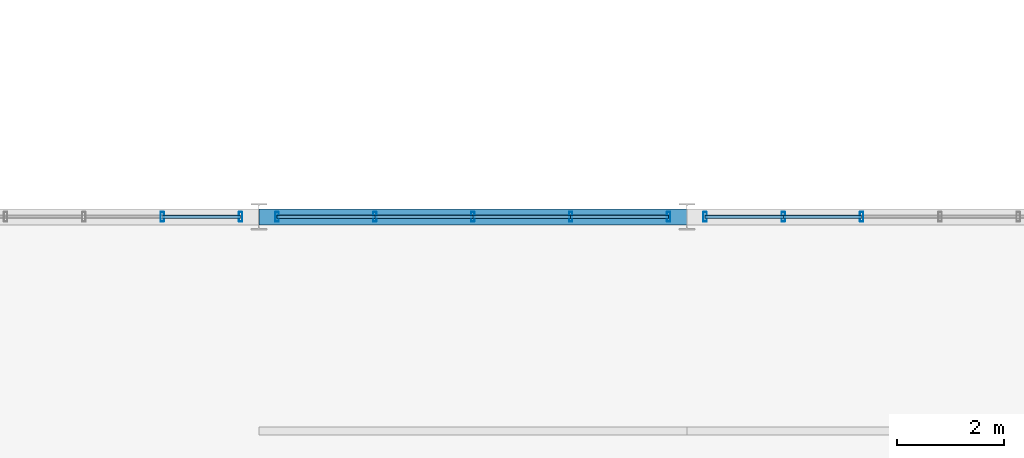
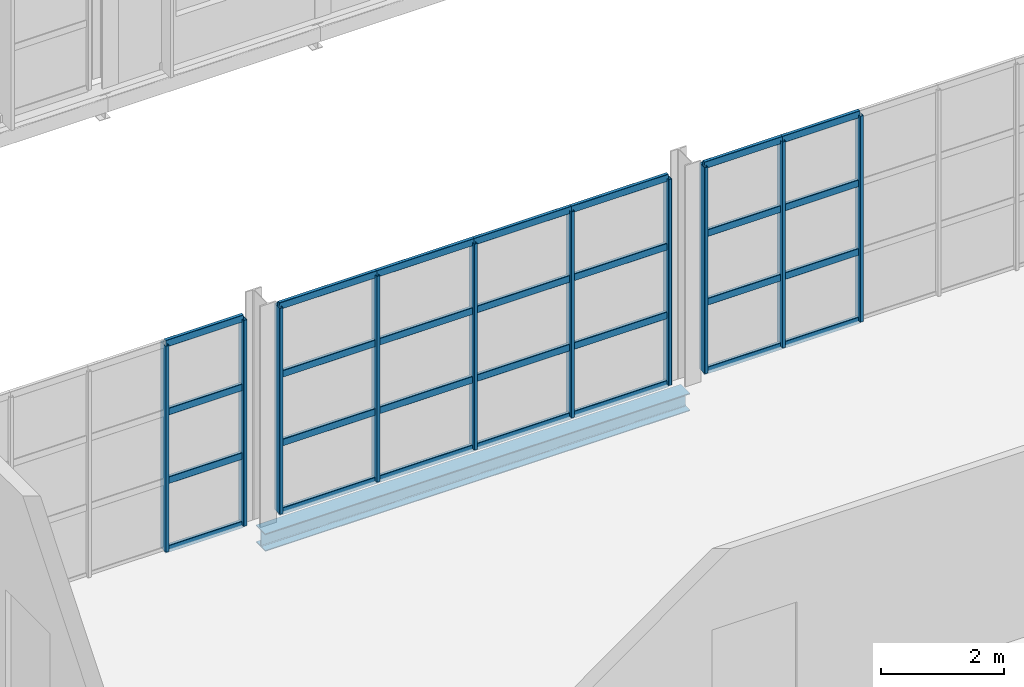
# One storey, part 80 of 153: 38 members, 1 beam, 3 elements without a shape of their own.
"""IFC4 building model written with IfcOpenShell, lengths in metres."""

from ifc_helpers import new_model, si_unit, derived_unit, direction, frame, origin, origin_2d, place, context, subcontext, project, spatial, hollow_rectangle, i_section, extrude, material, material_profile, profile_set, type_object, element, aggregate, save


model = new_model("IFC4")

# Units and contexts
model_context = context("Model", 3, precision=1e-05, world=origin(), true_north=direction((0.0, 1.0)))
body_context = subcontext(model_context, "Body", "Model", "MODEL_VIEW")
ifc_project = project(units=[si_unit("LENGTHUNIT", "METRE"), si_unit("AREAUNIT", "SQUARE_METRE"), si_unit("VOLUMEUNIT", "CUBIC_METRE"), si_unit("PLANEANGLEUNIT", "RADIAN"), si_unit("MASSUNIT", "GRAM", prefix="KILO"), derived_unit("THERMALTRANSMITTANCEUNIT", [(si_unit("POWERUNIT", "WATT"), 1), (si_unit("LENGTHUNIT", "METRE"), -2), (si_unit("THERMODYNAMICTEMPERATUREUNIT", "KELVIN"), -1)])], contexts=[model_context])

# Site, building, storey
site_placement = place(None, origin())
site = spatial("IfcSite", under=ifc_project, at=site_placement, CompositionType="ELEMENT")
building_placement = place(site_placement, origin())
building = spatial("IfcBuilding", under=site, at=building_placement, Name="Keldorne Ridge Multi-Sports Centre", CompositionType="ELEMENT")
storey_placement = place(building_placement, frame((0.0, 0.0, 9.60009765625)))
storey = spatial("IfcBuildingStorey", under=building, at=storey_placement, Name="L02", CompositionType="ELEMENT", Elevation=9.60009765625)

# Beam
ifc_material_1 = material(Name="Steel S355", Category="steel")
ifc_material_profile_1 = material_profile(ifc_material_1, i_section(OverallWidth=0.300048828125, OverallDepth=0.35009765625, WebThickness=0.010009765625, FlangeThickness=0.017578125, FilletRadius=0.027099609375, at=origin_2d()), Name="HEA 360")
ifc_profile_set_1 = profile_set([ifc_material_profile_1], Name="Steel S355")
beam_type = type_object("IfcBeamType", Name="BM-SP-03", PredefinedType="SPANDREL", material=ifc_profile_set_1)
beam_placement = place(storey_placement, frame((120.0, 54.0, -0.4150390625), z_axis=(1.0, 0.0, 0.0), x_axis=(0.0, 1.0, 0.0)))
element("IfcBeam", 1, at=beam_placement, inside=storey, type_object=beam_type, Name="L02 Stacked Courts beam 3.13", PredefinedType="SPANDREL", context=body_context, shape_type="SweptSolid", body=[
    extrude(i_section(OverallWidth=0.300048828125, OverallDepth=0.35009765625, WebThickness=0.010009765625, FlangeThickness=0.017578125, FilletRadius=0.027099609375, at=origin_2d()), origin(), (0.0, 0.0, 1.0), 8.0),
])

# Curtain wall, members
ifc_material_2 = material(Name="Anodized aluminium", Category="aluminium")
curtain_wall_type_1 = type_object("IfcCurtainWallType", Name="CW-CW-02", PredefinedType="NOTDEFINED", material=ifc_material_2)
curtain_wall_1_placement = place(storey_placement, origin())
curtain_wall_1 = element("IfcCurtainWall", 2, at=curtain_wall_1_placement, inside=storey, type_object=curtain_wall_type_1, Name="Upper Courts north glazing 098", PredefinedType="NOTDEFINED")
ifc_material_profile_2 = material_profile(ifc_material_2, hollow_rectangle(XDim=0.06494140625, YDim=0.179931640625, WallThickness=0.00439453125, InnerFilletRadius=0.00439453125, OuterFilletRadius=0.009033203125, at=origin_2d()), Name="ALU MULLION 180x65x4.5")
ifc_profile_set_2 = profile_set([ifc_material_profile_2], Name="Anodized aluminium")
member_type_1 = type_object("IfcMemberType", Name="MEM-ML-01", PredefinedType="MULLION", material=ifc_profile_set_2)
member_1_placement = place(storey_placement, frame((119.659912109375, 54.0, 0.0), z_axis=(0.0, 0.0, 1.0), x_axis=(1.0, 0.0, 0.0)))
member_1 = element("IfcMember", 3, at=member_1_placement, type_object=member_type_1, Name="CW-098 vertical mullion 1", PredefinedType="MULLION", context=body_context, shape_type="SweptSolid", body=[
    extrude(hollow_rectangle(XDim=0.06494140625, YDim=0.179931640625, WallThickness=0.00439453125, InnerFilletRadius=0.00439453125, OuterFilletRadius=0.009033203125, at=origin_2d()), origin(), (0.0, 0.0, 1.0), 4.099853515625),
])
member_2_placement = place(storey_placement, frame((118.196044921875, 54.0, 0.0), z_axis=(0.0, 0.0, 1.0), x_axis=(1.0, 0.0, 0.0)))
member_2 = element("IfcMember", 4, at=member_2_placement, type_object=member_type_1, Name="CW-098 vertical mullion 2", PredefinedType="MULLION", context=body_context, shape_type="SweptSolid", body=[
    extrude(hollow_rectangle(XDim=0.06494140625, YDim=0.179931640625, WallThickness=0.00439453125, InnerFilletRadius=0.00439453125, OuterFilletRadius=0.009033203125, at=origin_2d()), origin(), (0.0, 0.0, 1.0), 4.099853515625),
])

curtain_wall_type_2 = type_object("IfcCurtainWallType", Name="CW-CW-08", PredefinedType="NOTDEFINED", material=ifc_material_2)
curtain_wall_2_placement = place(storey_placement, origin())
curtain_wall_2 = element("IfcCurtainWall", 5, at=curtain_wall_2_placement, inside=storey, type_object=curtain_wall_type_2, Name="Upper Courts north glazing 104", PredefinedType="NOTDEFINED")
member_3_placement = place(storey_placement, frame((127.659912109375, 54.0, 0.0), z_axis=(0.0, 0.0, 1.0), x_axis=(1.0, 0.0, 0.0)))
member_3 = element("IfcMember", 6, at=member_3_placement, type_object=member_type_1, Name="CW-104 vertical mullion 1", PredefinedType="MULLION", context=body_context, shape_type="SweptSolid", body=[
    extrude(hollow_rectangle(XDim=0.06494140625, YDim=0.179931640625, WallThickness=0.00439453125, InnerFilletRadius=0.00439453125, OuterFilletRadius=0.009033203125, at=origin_2d()), origin(), (0.0, 0.0, 1.0), 4.099853515625),
])
member_4_placement = place(storey_placement, frame((125.830078125, 54.0, 0.0), z_axis=(0.0, 0.0, 1.0), x_axis=(1.0, 0.0, 0.0)))
member_4 = element("IfcMember", 7, at=member_4_placement, type_object=member_type_1, Name="CW-104 vertical mullion 2", PredefinedType="MULLION", context=body_context, shape_type="SweptSolid", body=[
    extrude(hollow_rectangle(XDim=0.06494140625, YDim=0.179931640625, WallThickness=0.00439453125, InnerFilletRadius=0.00439453125, OuterFilletRadius=0.009033203125, at=origin_2d()), origin(), (0.0, 0.0, 1.0), 4.099853515625),
])
member_5_placement = place(storey_placement, frame((124.0, 54.0, 0.0), z_axis=(0.0, 0.0, 1.0), x_axis=(1.0, 0.0, 0.0)))
member_5 = element("IfcMember", 8, at=member_5_placement, type_object=member_type_1, Name="CW-104 vertical mullion 3", PredefinedType="MULLION", context=body_context, shape_type="SweptSolid", body=[
    extrude(hollow_rectangle(XDim=0.06494140625, YDim=0.179931640625, WallThickness=0.00439453125, InnerFilletRadius=0.00439453125, OuterFilletRadius=0.009033203125, at=origin_2d()), origin(), (0.0, 0.0, 1.0), 4.099853515625),
])
member_6_placement = place(storey_placement, frame((122.169921875, 54.0, 0.0), z_axis=(0.0, 0.0, 1.0), x_axis=(1.0, 0.0, 0.0)))
member_6 = element("IfcMember", 9, at=member_6_placement, type_object=member_type_1, Name="CW-104 vertical mullion 4", PredefinedType="MULLION", context=body_context, shape_type="SweptSolid", body=[
    extrude(hollow_rectangle(XDim=0.06494140625, YDim=0.179931640625, WallThickness=0.00439453125, InnerFilletRadius=0.00439453125, OuterFilletRadius=0.009033203125, at=origin_2d()), origin(), (0.0, 0.0, 1.0), 4.099853515625),
])
member_7_placement = place(storey_placement, frame((120.340087890625, 54.0, 0.0), z_axis=(0.0, 0.0, 1.0), x_axis=(1.0, 0.0, 0.0)))
member_7 = element("IfcMember", 10, at=member_7_placement, type_object=member_type_1, Name="CW-104 vertical mullion 5", PredefinedType="MULLION", context=body_context, shape_type="SweptSolid", body=[
    extrude(hollow_rectangle(XDim=0.06494140625, YDim=0.179931640625, WallThickness=0.00439453125, InnerFilletRadius=0.00439453125, OuterFilletRadius=0.009033203125, at=origin_2d()), origin(), (0.0, 0.0, 1.0), 4.099853515625),
])

curtain_wall_type_3 = type_object("IfcCurtainWallType", Name="CW-CW-07", PredefinedType="NOTDEFINED", material=ifc_material_2)
curtain_wall_3_placement = place(storey_placement, origin())
curtain_wall_3 = element("IfcCurtainWall", 11, at=curtain_wall_3_placement, inside=storey, type_object=curtain_wall_type_3, Name="Upper Courts north glazing 111", PredefinedType="NOTDEFINED")
member_8_placement = place(storey_placement, frame((131.26806640625, 54.0, 0.0), z_axis=(0.0, 0.0, 1.0), x_axis=(1.0, 0.0, 0.0)))
member_8 = element("IfcMember", 12, at=member_8_placement, type_object=member_type_1, Name="CW-111 vertical mullion 4", PredefinedType="MULLION", context=body_context, shape_type="SweptSolid", body=[
    extrude(hollow_rectangle(XDim=0.06494140625, YDim=0.179931640625, WallThickness=0.00439453125, InnerFilletRadius=0.00439453125, OuterFilletRadius=0.009033203125, at=origin_2d()), origin(), (0.0, 0.0, 1.0), 4.099853515625),
])
member_9_placement = place(storey_placement, frame((129.803955078125, 54.0, 0.0), z_axis=(0.0, 0.0, 1.0), x_axis=(1.0, 0.0, 0.0)))
member_9 = element("IfcMember", 13, at=member_9_placement, type_object=member_type_1, Name="CW-111 vertical mullion 5", PredefinedType="MULLION", context=body_context, shape_type="SweptSolid", body=[
    extrude(hollow_rectangle(XDim=0.06494140625, YDim=0.179931640625, WallThickness=0.00439453125, InnerFilletRadius=0.00439453125, OuterFilletRadius=0.009033203125, at=origin_2d()), origin(), (0.0, 0.0, 1.0), 4.099853515625),
])
member_10_placement = place(storey_placement, frame((128.340087890625, 54.0, 0.0), z_axis=(0.0, 0.0, 1.0), x_axis=(1.0, 0.0, 0.0)))
member_10 = element("IfcMember", 14, at=member_10_placement, type_object=member_type_1, Name="CW-111 vertical mullion 6", PredefinedType="MULLION", context=body_context, shape_type="SweptSolid", body=[
    extrude(hollow_rectangle(XDim=0.06494140625, YDim=0.179931640625, WallThickness=0.00439453125, InnerFilletRadius=0.00439453125, OuterFilletRadius=0.009033203125, at=origin_2d()), origin(), (0.0, 0.0, 1.0), 4.099853515625),
])

# Member
ifc_material_profile_3 = material_profile(ifc_material_2, hollow_rectangle(XDim=0.06494140625, YDim=0.139892578125, WallThickness=0.00439453125, InnerFilletRadius=0.00439453125, OuterFilletRadius=0.009033203125, at=origin_2d()), Name="ALU TRANSOM 140x65x4.5")
ifc_profile_set_3 = profile_set([ifc_material_profile_3], Name="Anodized aluminium")
member_type_2 = type_object("IfcMemberType", Name="MEM-TR-01", PredefinedType="USERDEFINED", material=ifc_profile_set_3)
member_11_placement = place(storey_placement, frame((119.659912109375, 54.0, 0.0), z_axis=(-1.0, 0.0, 0.0), x_axis=(0.0, -1.0, 0.0)))
member_11 = element("IfcMember", 15, at=member_11_placement, type_object=member_type_2, Name="CW-098 transom 1.1", ObjectType="TRANSOM", PredefinedType="USERDEFINED", context=body_context, shape_type="SweptSolid", body=[
    extrude(hollow_rectangle(XDim=0.06494140625, YDim=0.139892578125, WallThickness=0.00439453125, InnerFilletRadius=0.00439453125, OuterFilletRadius=0.009033203125, at=origin_2d()), origin(), (0.0, 0.0, 1.0), 1.4638671875),
])

member_12_placement = place(storey_placement, frame((119.659912109375, 54.0, 1.36669921875), z_axis=(-1.0, 0.0, 0.0), x_axis=(0.0, -1.0, 0.0)))
member_12 = element("IfcMember", 16, at=member_12_placement, type_object=member_type_2, Name="CW-098 transom 1.2", ObjectType="TRANSOM", PredefinedType="USERDEFINED", context=body_context, shape_type="SweptSolid", body=[
    extrude(hollow_rectangle(XDim=0.06494140625, YDim=0.139892578125, WallThickness=0.00439453125, InnerFilletRadius=0.00439453125, OuterFilletRadius=0.009033203125, at=origin_2d()), origin(), (0.0, 0.0, 1.0), 1.4638671875),
])

member_13_placement = place(storey_placement, frame((119.659912109375, 54.0, 2.733154296875), z_axis=(-1.0, 0.0, 0.0), x_axis=(0.0, -1.0, 0.0)))
member_13 = element("IfcMember", 17, at=member_13_placement, type_object=member_type_2, Name="CW-098 transom 1.3", ObjectType="TRANSOM", PredefinedType="USERDEFINED", context=body_context, shape_type="SweptSolid", body=[
    extrude(hollow_rectangle(XDim=0.06494140625, YDim=0.139892578125, WallThickness=0.00439453125, InnerFilletRadius=0.00439453125, OuterFilletRadius=0.009033203125, at=origin_2d()), origin(), (0.0, 0.0, 1.0), 1.4638671875),
])

member_14_placement = place(storey_placement, frame((119.659912109375, 54.0, 4.099853515625), z_axis=(-1.0, 0.0, 0.0), x_axis=(0.0, -1.0, 0.0)))
member_14 = element("IfcMember", 18, at=member_14_placement, type_object=member_type_2, Name="CW-098 transom 1.4", ObjectType="TRANSOM", PredefinedType="USERDEFINED", context=body_context, shape_type="SweptSolid", body=[
    extrude(hollow_rectangle(XDim=0.06494140625, YDim=0.139892578125, WallThickness=0.00439453125, InnerFilletRadius=0.00439453125, OuterFilletRadius=0.009033203125, at=origin_2d()), origin(), (0.0, 0.0, 1.0), 1.4638671875),
])

aggregate(curtain_wall_1, [member_1, member_2, member_11, member_12, member_13, member_14])

member_15_placement = place(storey_placement, frame((127.659912109375, 54.0, 0.0), z_axis=(-1.0, 0.0, 0.0), x_axis=(0.0, -1.0, 0.0)))
member_15 = element("IfcMember", 19, at=member_15_placement, type_object=member_type_2, Name="CW-104 transom 1.1", ObjectType="TRANSOM", PredefinedType="USERDEFINED", context=body_context, shape_type="SweptSolid", body=[
    extrude(hollow_rectangle(XDim=0.06494140625, YDim=0.139892578125, WallThickness=0.00439453125, InnerFilletRadius=0.00439453125, OuterFilletRadius=0.009033203125, at=origin_2d()), origin(), (0.0, 0.0, 1.0), 1.829833984375),
])

member_16_placement = place(storey_placement, frame((127.659912109375, 54.0, 1.36669921875), z_axis=(-1.0, 0.0, 0.0), x_axis=(0.0, -1.0, 0.0)))
member_16 = element("IfcMember", 20, at=member_16_placement, type_object=member_type_2, Name="CW-104 transom 1.2", ObjectType="TRANSOM", PredefinedType="USERDEFINED", context=body_context, shape_type="SweptSolid", body=[
    extrude(hollow_rectangle(XDim=0.06494140625, YDim=0.139892578125, WallThickness=0.00439453125, InnerFilletRadius=0.00439453125, OuterFilletRadius=0.009033203125, at=origin_2d()), origin(), (0.0, 0.0, 1.0), 1.829833984375),
])

member_17_placement = place(storey_placement, frame((127.659912109375, 54.0, 2.733154296875), z_axis=(-1.0, 0.0, 0.0), x_axis=(0.0, -1.0, 0.0)))
member_17 = element("IfcMember", 21, at=member_17_placement, type_object=member_type_2, Name="CW-104 transom 1.3", ObjectType="TRANSOM", PredefinedType="USERDEFINED", context=body_context, shape_type="SweptSolid", body=[
    extrude(hollow_rectangle(XDim=0.06494140625, YDim=0.139892578125, WallThickness=0.00439453125, InnerFilletRadius=0.00439453125, OuterFilletRadius=0.009033203125, at=origin_2d()), origin(), (0.0, 0.0, 1.0), 1.829833984375),
])

member_18_placement = place(storey_placement, frame((127.659912109375, 54.0, 4.099853515625), z_axis=(-1.0, 0.0, 0.0), x_axis=(0.0, -1.0, 0.0)))
member_18 = element("IfcMember", 22, at=member_18_placement, type_object=member_type_2, Name="CW-104 transom 1.4", ObjectType="TRANSOM", PredefinedType="USERDEFINED", context=body_context, shape_type="SweptSolid", body=[
    extrude(hollow_rectangle(XDim=0.06494140625, YDim=0.139892578125, WallThickness=0.00439453125, InnerFilletRadius=0.00439453125, OuterFilletRadius=0.009033203125, at=origin_2d()), origin(), (0.0, 0.0, 1.0), 1.829833984375),
])

member_19_placement = place(storey_placement, frame((125.830078125, 54.0, 0.0), z_axis=(-1.0, 0.0, 0.0), x_axis=(0.0, -1.0, 0.0)))
member_19 = element("IfcMember", 23, at=member_19_placement, type_object=member_type_2, Name="CW-104 transom 2.1", ObjectType="TRANSOM", PredefinedType="USERDEFINED", context=body_context, shape_type="SweptSolid", body=[
    extrude(hollow_rectangle(XDim=0.06494140625, YDim=0.139892578125, WallThickness=0.00439453125, InnerFilletRadius=0.00439453125, OuterFilletRadius=0.009033203125, at=origin_2d()), origin(), (0.0, 0.0, 1.0), 1.830078125),
])

member_20_placement = place(storey_placement, frame((125.830078125, 54.0, 1.36669921875), z_axis=(-1.0, 0.0, 0.0), x_axis=(0.0, -1.0, 0.0)))
member_20 = element("IfcMember", 24, at=member_20_placement, type_object=member_type_2, Name="CW-104 transom 2.2", ObjectType="TRANSOM", PredefinedType="USERDEFINED", context=body_context, shape_type="SweptSolid", body=[
    extrude(hollow_rectangle(XDim=0.06494140625, YDim=0.139892578125, WallThickness=0.00439453125, InnerFilletRadius=0.00439453125, OuterFilletRadius=0.009033203125, at=origin_2d()), origin(), (0.0, 0.0, 1.0), 1.830078125),
])

member_21_placement = place(storey_placement, frame((125.830078125, 54.0, 2.733154296875), z_axis=(-1.0, 0.0, 0.0), x_axis=(0.0, -1.0, 0.0)))
member_21 = element("IfcMember", 25, at=member_21_placement, type_object=member_type_2, Name="CW-104 transom 2.3", ObjectType="TRANSOM", PredefinedType="USERDEFINED", context=body_context, shape_type="SweptSolid", body=[
    extrude(hollow_rectangle(XDim=0.06494140625, YDim=0.139892578125, WallThickness=0.00439453125, InnerFilletRadius=0.00439453125, OuterFilletRadius=0.009033203125, at=origin_2d()), origin(), (0.0, 0.0, 1.0), 1.830078125),
])

member_22_placement = place(storey_placement, frame((125.830078125, 54.0, 4.099853515625), z_axis=(-1.0, 0.0, 0.0), x_axis=(0.0, -1.0, 0.0)))
member_22 = element("IfcMember", 26, at=member_22_placement, type_object=member_type_2, Name="CW-104 transom 2.4", ObjectType="TRANSOM", PredefinedType="USERDEFINED", context=body_context, shape_type="SweptSolid", body=[
    extrude(hollow_rectangle(XDim=0.06494140625, YDim=0.139892578125, WallThickness=0.00439453125, InnerFilletRadius=0.00439453125, OuterFilletRadius=0.009033203125, at=origin_2d()), origin(), (0.0, 0.0, 1.0), 1.830078125),
])

member_23_placement = place(storey_placement, frame((124.0, 54.0, 0.0), z_axis=(-1.0, 0.0, 0.0), x_axis=(0.0, -1.0, 0.0)))
member_23 = element("IfcMember", 27, at=member_23_placement, type_object=member_type_2, Name="CW-104 transom 3.1", ObjectType="TRANSOM", PredefinedType="USERDEFINED", context=body_context, shape_type="SweptSolid", body=[
    extrude(hollow_rectangle(XDim=0.06494140625, YDim=0.139892578125, WallThickness=0.00439453125, InnerFilletRadius=0.00439453125, OuterFilletRadius=0.009033203125, at=origin_2d()), origin(), (0.0, 0.0, 1.0), 1.830078125),
])

member_24_placement = place(storey_placement, frame((124.0, 54.0, 1.36669921875), z_axis=(-1.0, 0.0, 0.0), x_axis=(0.0, -1.0, 0.0)))
member_24 = element("IfcMember", 28, at=member_24_placement, type_object=member_type_2, Name="CW-104 transom 3.2", ObjectType="TRANSOM", PredefinedType="USERDEFINED", context=body_context, shape_type="SweptSolid", body=[
    extrude(hollow_rectangle(XDim=0.06494140625, YDim=0.139892578125, WallThickness=0.00439453125, InnerFilletRadius=0.00439453125, OuterFilletRadius=0.009033203125, at=origin_2d()), origin(), (0.0, 0.0, 1.0), 1.830078125),
])

member_25_placement = place(storey_placement, frame((124.0, 54.0, 2.733154296875), z_axis=(-1.0, 0.0, 0.0), x_axis=(0.0, -1.0, 0.0)))
member_25 = element("IfcMember", 29, at=member_25_placement, type_object=member_type_2, Name="CW-104 transom 3.3", ObjectType="TRANSOM", PredefinedType="USERDEFINED", context=body_context, shape_type="SweptSolid", body=[
    extrude(hollow_rectangle(XDim=0.06494140625, YDim=0.139892578125, WallThickness=0.00439453125, InnerFilletRadius=0.00439453125, OuterFilletRadius=0.009033203125, at=origin_2d()), origin(), (0.0, 0.0, 1.0), 1.830078125),
])

member_26_placement = place(storey_placement, frame((124.0, 54.0, 4.099853515625), z_axis=(-1.0, 0.0, 0.0), x_axis=(0.0, -1.0, 0.0)))
member_26 = element("IfcMember", 30, at=member_26_placement, type_object=member_type_2, Name="CW-104 transom 3.4", ObjectType="TRANSOM", PredefinedType="USERDEFINED", context=body_context, shape_type="SweptSolid", body=[
    extrude(hollow_rectangle(XDim=0.06494140625, YDim=0.139892578125, WallThickness=0.00439453125, InnerFilletRadius=0.00439453125, OuterFilletRadius=0.009033203125, at=origin_2d()), origin(), (0.0, 0.0, 1.0), 1.830078125),
])

member_27_placement = place(storey_placement, frame((122.169921875, 54.0, 0.0), z_axis=(-1.0, 0.0, 0.0), x_axis=(0.0, -1.0, 0.0)))
member_27 = element("IfcMember", 31, at=member_27_placement, type_object=member_type_2, Name="CW-104 transom 4.1", ObjectType="TRANSOM", PredefinedType="USERDEFINED", context=body_context, shape_type="SweptSolid", body=[
    extrude(hollow_rectangle(XDim=0.06494140625, YDim=0.139892578125, WallThickness=0.00439453125, InnerFilletRadius=0.00439453125, OuterFilletRadius=0.009033203125, at=origin_2d()), origin(), (0.0, 0.0, 1.0), 1.829833984375),
])

member_28_placement = place(storey_placement, frame((122.169921875, 54.0, 1.36669921875), z_axis=(-1.0, 0.0, 0.0), x_axis=(0.0, -1.0, 0.0)))
member_28 = element("IfcMember", 32, at=member_28_placement, type_object=member_type_2, Name="CW-104 transom 4.2", ObjectType="TRANSOM", PredefinedType="USERDEFINED", context=body_context, shape_type="SweptSolid", body=[
    extrude(hollow_rectangle(XDim=0.06494140625, YDim=0.139892578125, WallThickness=0.00439453125, InnerFilletRadius=0.00439453125, OuterFilletRadius=0.009033203125, at=origin_2d()), origin(), (0.0, 0.0, 1.0), 1.829833984375),
])

member_29_placement = place(storey_placement, frame((122.169921875, 54.0, 2.733154296875), z_axis=(-1.0, 0.0, 0.0), x_axis=(0.0, -1.0, 0.0)))
member_29 = element("IfcMember", 33, at=member_29_placement, type_object=member_type_2, Name="CW-104 transom 4.3", ObjectType="TRANSOM", PredefinedType="USERDEFINED", context=body_context, shape_type="SweptSolid", body=[
    extrude(hollow_rectangle(XDim=0.06494140625, YDim=0.139892578125, WallThickness=0.00439453125, InnerFilletRadius=0.00439453125, OuterFilletRadius=0.009033203125, at=origin_2d()), origin(), (0.0, 0.0, 1.0), 1.829833984375),
])

member_30_placement = place(storey_placement, frame((122.169921875, 54.0, 4.099853515625), z_axis=(-1.0, 0.0, 0.0), x_axis=(0.0, -1.0, 0.0)))
member_30 = element("IfcMember", 34, at=member_30_placement, type_object=member_type_2, Name="CW-104 transom 4.4", ObjectType="TRANSOM", PredefinedType="USERDEFINED", context=body_context, shape_type="SweptSolid", body=[
    extrude(hollow_rectangle(XDim=0.06494140625, YDim=0.139892578125, WallThickness=0.00439453125, InnerFilletRadius=0.00439453125, OuterFilletRadius=0.009033203125, at=origin_2d()), origin(), (0.0, 0.0, 1.0), 1.829833984375),
])

aggregate(curtain_wall_2, [member_3, member_4, member_5, member_6, member_7, member_15, member_16, member_17, member_18, member_19, member_20, member_21, member_22, member_23, member_24, member_25, member_26, member_27, member_28, member_29, member_30])

member_31_placement = place(storey_placement, frame((131.26806640625, 54.0, 0.0), z_axis=(-1.0, 0.0, 0.0), x_axis=(0.0, -1.0, 0.0)))
member_31 = element("IfcMember", 35, at=member_31_placement, type_object=member_type_2, Name="CW-111 transom 4.1", ObjectType="TRANSOM", PredefinedType="USERDEFINED", context=body_context, shape_type="SweptSolid", body=[
    extrude(hollow_rectangle(XDim=0.06494140625, YDim=0.139892578125, WallThickness=0.00439453125, InnerFilletRadius=0.00439453125, OuterFilletRadius=0.009033203125, at=origin_2d()), origin(), (0.0, 0.0, 1.0), 1.464111328125),
])

member_32_placement = place(storey_placement, frame((131.26806640625, 54.0, 1.36669921875), z_axis=(-1.0, 0.0, 0.0), x_axis=(0.0, -1.0, 0.0)))
member_32 = element("IfcMember", 36, at=member_32_placement, type_object=member_type_2, Name="CW-111 transom 4.2", ObjectType="TRANSOM", PredefinedType="USERDEFINED", context=body_context, shape_type="SweptSolid", body=[
    extrude(hollow_rectangle(XDim=0.06494140625, YDim=0.139892578125, WallThickness=0.00439453125, InnerFilletRadius=0.00439453125, OuterFilletRadius=0.009033203125, at=origin_2d()), origin(), (0.0, 0.0, 1.0), 1.464111328125),
])

member_33_placement = place(storey_placement, frame((131.26806640625, 54.0, 2.733154296875), z_axis=(-1.0, 0.0, 0.0), x_axis=(0.0, -1.0, 0.0)))
member_33 = element("IfcMember", 37, at=member_33_placement, type_object=member_type_2, Name="CW-111 transom 4.3", ObjectType="TRANSOM", PredefinedType="USERDEFINED", context=body_context, shape_type="SweptSolid", body=[
    extrude(hollow_rectangle(XDim=0.06494140625, YDim=0.139892578125, WallThickness=0.00439453125, InnerFilletRadius=0.00439453125, OuterFilletRadius=0.009033203125, at=origin_2d()), origin(), (0.0, 0.0, 1.0), 1.464111328125),
])

member_34_placement = place(storey_placement, frame((131.26806640625, 54.0, 4.099853515625), z_axis=(-1.0, 0.0, 0.0), x_axis=(0.0, -1.0, 0.0)))
member_34 = element("IfcMember", 38, at=member_34_placement, type_object=member_type_2, Name="CW-111 transom 4.4", ObjectType="TRANSOM", PredefinedType="USERDEFINED", context=body_context, shape_type="SweptSolid", body=[
    extrude(hollow_rectangle(XDim=0.06494140625, YDim=0.139892578125, WallThickness=0.00439453125, InnerFilletRadius=0.00439453125, OuterFilletRadius=0.009033203125, at=origin_2d()), origin(), (0.0, 0.0, 1.0), 1.464111328125),
])

member_35_placement = place(storey_placement, frame((129.803955078125, 54.0, 0.0), z_axis=(-1.0, 0.0, 0.0), x_axis=(0.0, -1.0, 0.0)))
member_35 = element("IfcMember", 39, at=member_35_placement, type_object=member_type_2, Name="CW-111 transom 5.1", ObjectType="TRANSOM", PredefinedType="USERDEFINED", context=body_context, shape_type="SweptSolid", body=[
    extrude(hollow_rectangle(XDim=0.06494140625, YDim=0.139892578125, WallThickness=0.00439453125, InnerFilletRadius=0.00439453125, OuterFilletRadius=0.009033203125, at=origin_2d()), origin(), (0.0, 0.0, 1.0), 1.4638671875),
])

member_36_placement = place(storey_placement, frame((129.803955078125, 54.0, 1.36669921875), z_axis=(-1.0, 0.0, 0.0), x_axis=(0.0, -1.0, 0.0)))
member_36 = element("IfcMember", 40, at=member_36_placement, type_object=member_type_2, Name="CW-111 transom 5.2", ObjectType="TRANSOM", PredefinedType="USERDEFINED", context=body_context, shape_type="SweptSolid", body=[
    extrude(hollow_rectangle(XDim=0.06494140625, YDim=0.139892578125, WallThickness=0.00439453125, InnerFilletRadius=0.00439453125, OuterFilletRadius=0.009033203125, at=origin_2d()), origin(), (0.0, 0.0, 1.0), 1.4638671875),
])

member_37_placement = place(storey_placement, frame((129.803955078125, 54.0, 2.733154296875), z_axis=(-1.0, 0.0, 0.0), x_axis=(0.0, -1.0, 0.0)))
member_37 = element("IfcMember", 41, at=member_37_placement, type_object=member_type_2, Name="CW-111 transom 5.3", ObjectType="TRANSOM", PredefinedType="USERDEFINED", context=body_context, shape_type="SweptSolid", body=[
    extrude(hollow_rectangle(XDim=0.06494140625, YDim=0.139892578125, WallThickness=0.00439453125, InnerFilletRadius=0.00439453125, OuterFilletRadius=0.009033203125, at=origin_2d()), origin(), (0.0, 0.0, 1.0), 1.4638671875),
])

member_38_placement = place(storey_placement, frame((129.803955078125, 54.0, 4.099853515625), z_axis=(-1.0, 0.0, 0.0), x_axis=(0.0, -1.0, 0.0)))
member_38 = element("IfcMember", 42, at=member_38_placement, type_object=member_type_2, Name="CW-111 transom 5.4", ObjectType="TRANSOM", PredefinedType="USERDEFINED", context=body_context, shape_type="SweptSolid", body=[
    extrude(hollow_rectangle(XDim=0.06494140625, YDim=0.139892578125, WallThickness=0.00439453125, InnerFilletRadius=0.00439453125, OuterFilletRadius=0.009033203125, at=origin_2d()), origin(), (0.0, 0.0, 1.0), 1.4638671875),
])

aggregate(curtain_wall_3, [member_8, member_9, member_10, member_31, member_32, member_33, member_34, member_35, member_36, member_37, member_38])

save(model, "model.ifc")
